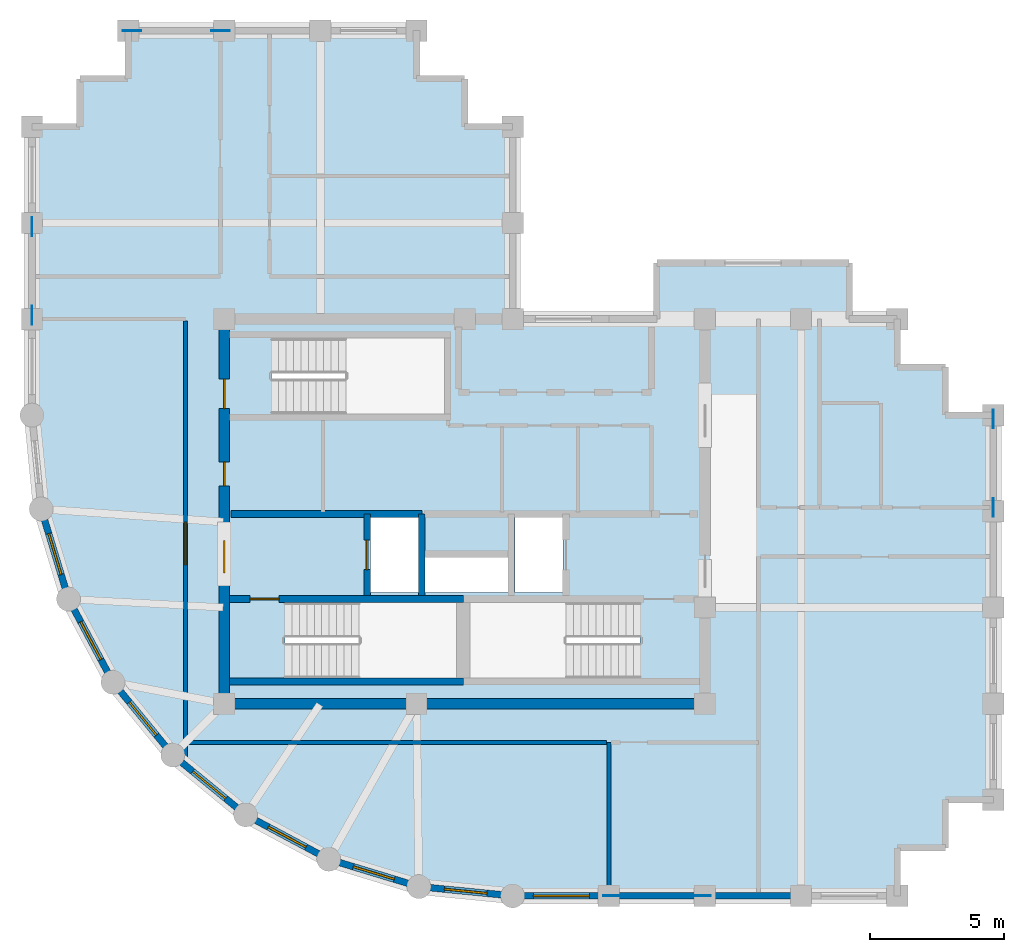
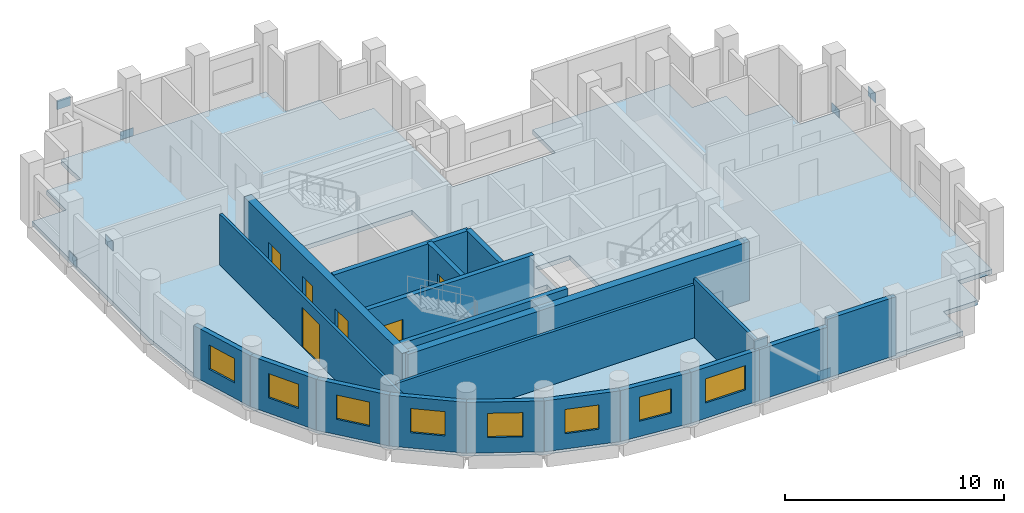
# One storey, part 2 of 6: 20 walls, 8 plates, 8 windows, 6 doors, 1 slab, 14 openings.
"""IFC4 building model written with IfcOpenShell, lengths in metres."""

import ifcopenshell
import ifcopenshell.guid

model = None  # the IFC model being written
_history = None  # IfcOwnerHistory: only IFC2X3 demands one
_inside = {}  # id of a spatial element -> (the spatial element, [elements in it])
_under = {}  # id of a project, library or spatial element -> (it, [spatial elements below it])
_declared = {}  # id of a project -> (the project, [libraries it declares])
_typed = {}  # id of a type object -> (the type object, [elements of that type])
_made_of = {}  # id of a material, layer set ... -> (it, [elements and type objects made of it])


def new_model(schema):
    """Start an empty IFC model of exactly this schema.

    Asked for "IFC4X3", IfcOpenShell would pick the latest addendum, in which some entities
    have other attributes; the version numbers below select the first issue.
    IFC2X3 requires an IfcOwnerHistory on every rooted entity: one is made here for all.
    """
    global model, _history
    if schema == "IFC4X3":
        model = ifcopenshell.file(schema_version=(4, 3, 0, 0))
    else:
        model = ifcopenshell.file(schema=schema)
    _inside.clear()
    _under.clear()
    _declared.clear()
    _typed.clear()
    _made_of.clear()
    _history = None
    if model.schema == "IFC2X3":
        org = make("IfcOrganization", Name="unknown")
        user = make(
            "IfcPersonAndOrganization",
            ThePerson=make("IfcPerson", FamilyName="unknown"),
            TheOrganization=org,
        )
        app = make(
            "IfcApplication",
            ApplicationDeveloper=org,
            Version="unknown",
            ApplicationFullName="unknown",
            ApplicationIdentifier="unknown",
        )
        _history = make(
            "IfcOwnerHistory",
            OwningUser=user,
            OwningApplication=app,
            ChangeAction="ADDED",
            CreationDate=0,
        )
    return model


def make(cls, **values):
    """One entity of the class cls with the attributes given. An attribute that is None is left unset."""
    return model.create_entity(
        cls, **{name: value for name, value in values.items() if value is not None}
    )


def rooted(cls, **values):
    """An entity with a GlobalId (a new one), such as an element, a storey or a relation."""
    return make(cls, GlobalId=ifcopenshell.guid.new(), OwnerHistory=_history, **values)


def si_unit(unit_type, name, prefix=None):
    """IfcSIUnit, for example si_unit("LENGTHUNIT", "METRE", prefix="MILLI")."""
    return make("IfcSIUnit", UnitType=unit_type, Prefix=prefix, Name=name)


def assignment(units):
    """IfcUnitAssignment: the units of a project."""
    return None if units is None else make("IfcUnitAssignment", Units=units)


def point(xyz):
    """IfcCartesianPoint."""
    return None if xyz is None else make("IfcCartesianPoint", Coordinates=xyz)


def direction(xyz):
    """IfcDirection."""
    return None if xyz is None else make("IfcDirection", DirectionRatios=xyz)


def frame(location, z_axis=None, x_axis=None):
    """IfcAxis2Placement3D, a coordinate frame: its origin and axes. An axis left out is left unset."""
    return make(
        "IfcAxis2Placement3D",
        Location=point(location),
        Axis=direction(z_axis),
        RefDirection=direction(x_axis),
    )


def frame_2d(location, x_axis=None):
    """IfcAxis2Placement2D, a coordinate frame in the plane: its origin and x axis."""
    return make(
        "IfcAxis2Placement2D", Location=point(location), RefDirection=direction(x_axis)
    )


def origin():
    """The frame at (0, 0, 0) with its axes left unset."""
    return frame((0.0, 0.0, 0.0))


def origin_2d():
    """The frame at (0, 0) in the plane with its x axis left unset."""
    return frame_2d((0.0, 0.0))


def place(relative_to, where):
    """IfcLocalPlacement: puts the frame where relative to a parent placement (None: the world)."""
    return make(
        "IfcLocalPlacement", PlacementRelTo=relative_to, RelativePlacement=where
    )


def context(
    kind, dimensions, precision=None, world=None, true_north=None, identifier=None
):
    """IfcGeometricRepresentationContext, for example the 3D "Model" context."""
    return make(
        "IfcGeometricRepresentationContext",
        ContextIdentifier=identifier,
        ContextType=kind,
        CoordinateSpaceDimension=dimensions,
        Precision=precision,
        WorldCoordinateSystem=world,
        TrueNorth=true_north,
    )


def subcontext(parent, identifier, kind, view, scale=None):
    """IfcGeometricRepresentationSubContext, for example "Body" below "Model"."""
    return make(
        "IfcGeometricRepresentationSubContext",
        ContextIdentifier=identifier,
        ContextType=kind,
        ParentContext=parent,
        TargetScale=scale,
        TargetView=view,
    )


def project(units=None, contexts=None):
    """IfcProject with its units and contexts."""
    return rooted(
        "IfcProject",
        Name="project",
        RepresentationContexts=contexts,
        UnitsInContext=assignment(units),
    )


def spatial(cls, under=None, at=None, **own):
    """A site, building, storey or space (cls), placed at a placement, below another one or the project."""
    s = rooted(cls, ObjectPlacement=at, **own)
    if under is not None:
        _under.setdefault(under.id(), (under, []))[1].append(s)
    return s


def polyline(points):
    """IfcPolyline through the points."""
    return make("IfcPolyline", Points=[point(p) for p in points])


def profile(cls, at=None, kind="AREA", **sizes):
    """A parametric profile (cls). Its sizes go by their IFC names, for example OverallWidth=200.0."""
    return make(cls, ProfileType=kind, Position=at, **sizes)


def rectangle(**sizes):
    """IfcRectangleProfileDef."""
    return profile("IfcRectangleProfileDef", **sizes)


def outline(outer, holes=None, kind="AREA"):
    """IfcArbitraryClosedProfileDef: a profile drawn as a closed curve; with holes, ...WithVoids."""
    if holes is None:
        return make("IfcArbitraryClosedProfileDef", ProfileType=kind, OuterCurve=outer)
    return make(
        "IfcArbitraryProfileDefWithVoids",
        ProfileType=kind,
        OuterCurve=outer,
        InnerCurves=holes,
    )


def extrude(swept, where, along, depth):
    """IfcExtrudedAreaSolid: the profile swept, set in the frame where, extruded along a direction by depth."""
    return make(
        "IfcExtrudedAreaSolid",
        SweptArea=swept,
        Position=where,
        ExtrudedDirection=direction(along),
        Depth=depth,
    )


def shape(context_of_items, identifier, shape_type, items):
    """IfcShapeRepresentation: the items that make up one representation, for example the "Body"."""
    return make(
        "IfcShapeRepresentation",
        ContextOfItems=context_of_items,
        RepresentationIdentifier=identifier,
        RepresentationType=shape_type,
        Items=items,
    )


def material(Name=None, Category=None):
    """IfcMaterial."""
    return make("IfcMaterial", Name=Name, Category=Category)


def layer(
    of_material, thickness, ventilated=None, Name=None, Category=None, Priority=None
):
    """IfcMaterialLayer: one layer of a wall or slab, of a material (None: an air gap)."""
    return make(
        "IfcMaterialLayer",
        Material=of_material,
        LayerThickness=thickness,
        IsVentilated=ventilated,
        Name=Name,
        Category=Category,
        Priority=Priority,
    )


def layer_set(layers, Name=None):
    """IfcMaterialLayerSet."""
    return make("IfcMaterialLayerSet", MaterialLayers=layers, LayerSetName=Name)


def made_of(thing, what):
    """Note that an element or type object is made of a material, layer set ...; save() writes the relation."""
    if what is not None:
        _made_of.setdefault(what.id(), (what, []))[1].append(thing)
    return thing


def type_object(cls, material=None, **own):
    """A type object (cls), such as IfcWallType, which elements share."""
    return made_of(rooted(cls, **own), material)


def element(
    cls,
    number,
    at=None,
    inside=None,
    cuts=None,
    type_object=None,
    material=None,
    context=None,
    identifier="Body",
    shape_type=None,
    held_by="IfcProductDefinitionShape",
    body=None,
    shapes=None,
    **own,
):
    """One element of the class cls, such as IfcWall. Its Tag is "e" and its number.

    at: its placement. inside: the storey or other place that contains it. cuts: it is an
    opening in that element (IfcRelVoidsElement). A single representation is given by context,
    identifier, shape_type and body (its items); several are given by shapes. held_by: the class
    of the entity that holds the representations. save() writes the other relations.
    """
    e = rooted(cls, Tag="e%d" % number, ObjectPlacement=at, **own)
    if body is not None:
        shapes = [shape(context, identifier, shape_type, body)]
    if shapes is not None:
        e.Representation = make(held_by, Representations=shapes)
    if inside is not None:
        _inside.setdefault(inside.id(), (inside, []))[1].append(e)
    if cuts is not None:
        rooted(
            "IfcRelVoidsElement", RelatingBuildingElement=cuts, RelatedOpeningElement=e
        )
    if type_object is not None:
        _typed.setdefault(type_object.id(), (type_object, []))[1].append(e)
    return made_of(e, material)


def fill(opening, filler):
    """IfcRelFillsElement: the door or window that sits in an opening."""
    return rooted(
        "IfcRelFillsElement",
        RelatingOpeningElement=opening,
        RelatedBuildingElement=filler,
    )


def aggregate(whole, parts):
    """IfcRelAggregates: a whole, such as a stair, and the parts it consists of."""
    return rooted("IfcRelAggregates", RelatingObject=whole, RelatedObjects=parts)


def save(model, path):
    """Write the relations noted so far, then the file.

    IfcRelAggregates (storeys below a building ...), IfcRelContainedInSpatialStructure (elements
    in a storey), IfcRelDefinesByType, IfcRelAssociatesMaterial and IfcRelDeclares: one each for
    every whole, place, type object, material and project.
    """
    for whole, parts in _under.values():
        aggregate(whole, parts)
    for where, things in _inside.values():
        rooted(
            "IfcRelContainedInSpatialStructure",
            RelatedElements=things,
            RelatingStructure=where,
        )
    for kind, things in _typed.values():
        rooted("IfcRelDefinesByType", RelatedObjects=things, RelatingType=kind)
    for what, things in _made_of.values():
        rooted("IfcRelAssociatesMaterial", RelatedObjects=things, RelatingMaterial=what)
    for by, libraries in _declared.values():
        rooted("IfcRelDeclares", RelatingContext=by, RelatedDefinitions=libraries)
    model.write(path)


model = new_model("IFC4")

# Units and contexts
model_context = context("Model", 3, precision=1e-05, world=origin(), true_north=direction((0.0, 1.0)))
body_context = subcontext(model_context, "Body", "Model", "MODEL_VIEW")
ifc_project = project(units=[si_unit("LENGTHUNIT", "METRE"), si_unit("AREAUNIT", "SQUARE_METRE"), si_unit("VOLUMEUNIT", "CUBIC_METRE"), si_unit("PLANEANGLEUNIT", "RADIAN"), si_unit("MASSUNIT", "GRAM", prefix="KILO")], contexts=[model_context])

# Site, building, storey
site_placement = place(None, origin())
site = spatial("IfcSite", under=ifc_project, at=site_placement, CompositionType="ELEMENT")
building_placement = place(site_placement, origin())
building = spatial("IfcBuilding", under=site, at=building_placement, Name="Solnavia Interchange Tower", CompositionType="ELEMENT")
storey_placement = place(building_placement, frame((0.0, 0.0, 246.199951171875)))
storey = spatial("IfcBuildingStorey", under=building, at=storey_placement, Name="L62", CompositionType="ELEMENT", Elevation=246.199951171875)

# Plates
ifc_material_1 = material(Name="Steel S460", Category="steel")
ifc_layer_1 = layer(ifc_material_1, 0.030029296875)
ifc_layer_set_1 = layer_set([ifc_layer_1], Name="Steel S460")
plate_type = type_object("IfcPlateType", Name="Plate-Gusset-700x520x30", PredefinedType="USERDEFINED", material=ifc_layer_set_1)
for number, where, z_axis, x_axis, name in (
    (1, (32.260009765625, 3.60009765625, -0.080078125), (0.0, 0.0, 1.0), (-1.0, 0.0, 0.0), "PLT-L62-GP01 Perimeter brace gusset plate"),
    (2, (28.93994140625, 3.60009765625, 2.840087890625), (0.0, 0.0, 1.0), (-1.0, 0.0, 0.0), "PLT-L62-GP02 Perimeter brace gusset plate"),
    (3, (7.199951171875, 28.659912109375, -0.080078125), (0.0, 0.0, 1.0), (0.0, -1.0, 0.0), "PLT-L62-GP03 Perimeter brace gusset plate"),
    (4, (7.199951171875, 25.340087890625, 2.840087890625), (0.0, 0.0, 1.0), (0.0, -1.0, 0.0), "PLT-L62-GP04 Perimeter brace gusset plate"),
    (5, (43.199951171875, 21.4599609375, -0.080078125), (0.0, 0.0, 1.0), (0.0, -1.0, 0.0), "PLT-L62-GP05 Perimeter brace gusset plate"),
    (6, (43.199951171875, 18.139892578125, 2.840087890625), (0.0, 0.0, 1.0), (0.0, -1.0, 0.0), "PLT-L62-GP06 Perimeter brace gusset plate"),
    (7, (14.260009765625, 36.0, -0.080078125), (0.0, 0.0, 1.0), (-1.0, 0.0, 0.0), "PLT-L62-GP07 Perimeter brace gusset plate"),
    (8, (10.93994140625, 36.0, 2.840087890625), (0.0, 0.0, 1.0), (-1.0, 0.0, 0.0), "PLT-L62-GP08 Perimeter brace gusset plate"),
):
    element("IfcPlate", number, at=place(storey_placement, frame(where, z_axis=z_axis, x_axis=x_axis)), inside=storey, type_object=plate_type, Name=name, ObjectType="GUSSET PLATE", PredefinedType="USERDEFINED", context=body_context, shape_type="SweptSolid", body=[
        extrude(rectangle(XDim=0.699951171875, YDim=0.030029296875, at=origin_2d()), origin(), (0.0, 0.0, 1.0), 0.52001953125),
    ])

# Slab
ifc_material_2 = material(Name="Concrete C40/50", Category="concrete")
ifc_layer_2 = layer(ifc_material_2, 0.25)
ifc_layer_set_2 = layer_set([ifc_layer_2], Name="Concrete C40/50")
slab_type = type_object("IfcSlabType", Name="Slab-Tower-250", PredefinedType="FLOOR", material=ifc_layer_set_2)
slab_placement = place(storey_placement, frame((0.0, 0.0, -0.25)))
element("IfcSlab", 9, at=slab_placement, inside=storey, type_object=slab_type, Name="SLB-L62-01 Structural floor slab", PredefinedType="FLOOR", context=body_context, shape_type="SweptSolid", body=[
    extrude(outline(polyline([(25.199951171875, 3.60009765625), (39.60009765625, 3.60009765625), (39.60009765625, 5.39990234375), (41.39990234375, 5.39990234375), (41.39990234375, 7.199951171875), (43.199951171875, 7.199951171875), (43.199951171875, 21.60009765625), (41.39990234375, 21.60009765625), (41.39990234375, 23.39990234375), (39.60009765625, 23.39990234375), (39.60009765625, 25.199951171875), (37.800048828125, 25.199951171875), (37.800048828125, 27.300048828125), (30.60009765625, 27.300048828125), (30.60009765625, 25.199951171875), (25.199951171875, 25.199951171875), (25.199951171875, 32.39990234375), (23.39990234375, 32.39990234375), (23.39990234375, 34.199951171875), (21.60009765625, 34.199951171875), (21.60009765625, 36.0), (10.800048828125, 36.0), (10.800048828125, 34.199951171875), (9.0, 34.199951171875), (9.0, 32.39990234375), (7.199951171875, 32.39990234375), (7.199951171875, 21.60009765625), (7.5458984375, 18.087890625), (8.570068359375, 14.7119140625), (10.23388671875, 11.60009765625), (12.471923828125, 8.8720703125), (15.199951171875, 6.634033203125), (18.31201171875, 4.969970703125), (21.68798828125, 3.946044921875), (25.199951171875, 3.60009765625)]), holes=[polyline([(16.675048828125, 11.75), (23.10009765625, 11.75), (23.10009765625, 14.590087890625), (16.675048828125, 14.590087890625), (16.675048828125, 11.75)]), polyline([(23.60009765625, 11.75), (29.97509765625, 11.75), (29.97509765625, 14.590087890625), (23.60009765625, 14.590087890625), (23.60009765625, 11.75)]), polyline([(16.175048828125, 21.64990234375), (22.64990234375, 21.64990234375), (22.64990234375, 24.489990234375), (16.175048828125, 24.489990234375), (16.175048828125, 21.64990234375)]), polyline([(19.8798828125, 14.9599609375), (21.679931640625, 14.9599609375), (21.679931640625, 17.780029296875), (19.8798828125, 17.780029296875), (19.8798828125, 14.9599609375)]), polyline([(25.280029296875, 14.9599609375), (27.080078125, 14.9599609375), (27.080078125, 17.780029296875), (25.280029296875, 17.780029296875), (25.280029296875, 14.9599609375)]), polyline([(21.919921875, 14.9599609375), (25.02001953125, 14.9599609375), (25.02001953125, 16.280029296875), (21.919921875, 16.280029296875), (21.919921875, 14.9599609375)])]), origin(), (0.0, 0.0, 1.0), 0.25),
])

# Wall, opening, window
ifc_layer_3 = layer(ifc_material_2, 0.25)
ifc_layer_set_3 = layer_set([ifc_layer_3], Name="Concrete C40/50")
wall_type_1 = type_object("IfcWallType", Name="Wall-ExtSpandrel-250", PredefinedType="STANDARD", material=ifc_layer_set_3)
wall_1_placement = place(storey_placement, frame((28.800048828125, 3.60009765625, 0.0), z_axis=(0.0, 0.0, 1.0), x_axis=(-1.0, 0.0, 0.0)))
wall_1 = element("IfcWall", 10, at=wall_1_placement, inside=storey, type_object=wall_type_1, Name="EXW-L62-01 Exterior precast spandrel wall", PredefinedType="STANDARD", context=body_context, shape_type="SweptSolid", body=[
    extrude(rectangle(XDim=3.60009765625, YDim=0.25, at=frame_2d((1.800048828125, 0.0))), origin(), (0.0, 0.0, 1.0), 2.830078125),
])
opening_1_placement = place(wall_1_placement, frame((0.72509765625, 0.0, 0.85009765625)))
opening_1 = element("IfcOpeningElement", 11, at=opening_1_placement, cuts=wall_1, Name="Opening WIN-01", PredefinedType="OPENING", context=body_context, shape_type="SweptSolid", body=[
    extrude(rectangle(XDim=2.10009765625, YDim=1.35009765625, at=frame_2d((1.050048828125, 0.675048828125))), frame((0.0, 0.135009765625, 0.0), z_axis=(0.0, -1.0, 0.0), x_axis=(1.0, 0.0, 0.0)), (0.0, 0.0, 1.0), 0.27001953125),
])
ifc_material_3 = material(Name="Thermal-Break Aluminium & Low-E Glass", Category="aluminium")
window_type_1 = type_object("IfcWindowType", Name="Window-Ribbon-2100x1350", PartitioningType="SINGLE_PANEL", PredefinedType="WINDOW", material=ifc_material_3)
window_1_placement = place(opening_1_placement, origin())
window_1 = element("IfcWindow", 12, at=window_1_placement, inside=storey, type_object=window_type_1, Name="WIN-L62-01 Facade ribbon window", OverallHeight=1.35009765625, OverallWidth=2.10009765625, PartitioningType="SINGLE_PANEL", PredefinedType="WINDOW", context=body_context, shape_type="SweptSolid", body=[
    extrude(rectangle(XDim=2.10009765625, YDim=1.35009765625, at=frame_2d((1.050048828125, 0.675048828125))), frame((0.0, 0.030029296875, 0.0), z_axis=(0.0, -1.0, 0.0), x_axis=(1.0, 0.0, 0.0)), (0.0, 0.0, 1.0), 0.06005859375),
])
fill(opening_1, window_1)

# Walls
wall_2_placement = place(storey_placement, frame((32.39990234375, 3.60009765625, 0.0), z_axis=(0.0, 0.0, 1.0), x_axis=(-1.0, 0.0, 0.0)))
element("IfcWall", 13, at=wall_2_placement, inside=storey, type_object=wall_type_1, Name="EXW-L62-02 Exterior precast spandrel wall", PredefinedType="STANDARD", context=body_context, shape_type="SweptSolid", body=[
    extrude(rectangle(XDim=3.599853515625, YDim=0.25, at=frame_2d((1.7998046875, 0.0))), origin(), (0.0, 0.0, 1.0), 2.830078125),
])
wall_3_placement = place(storey_placement, frame((36.0, 3.60009765625, 0.0), z_axis=(0.0, 0.0, 1.0), x_axis=(-1.0, 0.0, 0.0)))
element("IfcWall", 14, at=wall_3_placement, inside=storey, type_object=wall_type_1, Name="EXW-L62-03 Exterior precast spandrel wall", PredefinedType="STANDARD", context=body_context, shape_type="SweptSolid", body=[
    extrude(rectangle(XDim=3.60009765625, YDim=0.25, at=frame_2d((1.800048828125, 0.0))), origin(), (0.0, 0.0, 1.0), 3.26513671875),
])

# Wall, opening, window
wall_4_placement = place(storey_placement, frame((8.570068359375, 14.7119140625, 0.0), z_axis=(0.0, 0.0, 1.0), x_axis=(-0.290305086481, 0.956934144423, 0.0)))
wall_4 = element("IfcWall", 15, at=wall_4_placement, inside=storey, type_object=wall_type_1, Name="EXW-L62-42 Exterior precast spandrel wall", PredefinedType="STANDARD", context=body_context, shape_type="SweptSolid", body=[
    extrude(rectangle(XDim=3.52783203125, YDim=0.25, at=frame_2d((1.763916015625, 0.0))), origin(), (0.0, 0.0, 1.0), 2.830078125),
])
opening_2_placement = place(wall_4_placement, frame((0.964111328125, 0.0, 0.85009765625)))
opening_2 = element("IfcOpeningElement", 16, at=opening_2_placement, cuts=wall_4, Name="Opening WIN-04", PredefinedType="OPENING", context=body_context, shape_type="SweptSolid", body=[
    extrude(rectangle(XDim=1.60009765625, YDim=1.35009765625, at=frame_2d((0.800048828125, 0.675048828125))), frame((0.0, 0.135009765625, 0.0), z_axis=(0.0, -1.0, 0.0), x_axis=(1.0, 0.0, 0.0)), (0.0, 0.0, 1.0), 0.27001953125),
])
window_type_2 = type_object("IfcWindowType", Name="Window-Drum-1600x1350", PartitioningType="SINGLE_PANEL", PredefinedType="WINDOW", material=ifc_material_3)
window_2_placement = place(opening_2_placement, origin())
window_2 = element("IfcWindow", 17, at=window_2_placement, inside=storey, type_object=window_type_2, Name="WIN-L62-42 Facade ribbon window", OverallHeight=1.35009765625, OverallWidth=1.60009765625, PartitioningType="SINGLE_PANEL", PredefinedType="WINDOW", context=body_context, shape_type="SweptSolid", body=[
    extrude(rectangle(XDim=1.60009765625, YDim=1.35009765625, at=frame_2d((0.800048828125, 0.675048828125))), frame((0.0, 0.030029296875, 0.0), z_axis=(0.0, -1.0, 0.0), x_axis=(1.0, 0.0, 0.0)), (0.0, 0.0, 1.0), 0.06005859375),
])
fill(opening_2, window_2)

wall_5_placement = place(storey_placement, frame((10.23388671875, 11.60009765625, 0.0), z_axis=(0.0, 0.0, 1.0), x_axis=(-0.47151087309, 0.881860247748, 0.0)))
wall_5 = element("IfcWall", 18, at=wall_5_placement, inside=storey, type_object=wall_type_1, Name="EXW-L62-43 Exterior precast spandrel wall", PredefinedType="STANDARD", context=body_context, shape_type="SweptSolid", body=[
    extrude(rectangle(XDim=3.52880859375, YDim=0.25, at=frame_2d((1.764404296875, 0.0))), origin(), (0.0, 0.0, 1.0), 2.830078125),
])
opening_3_placement = place(wall_5_placement, frame((0.964111328125, 0.0, 0.85009765625)))
opening_3 = element("IfcOpeningElement", 19, at=opening_3_placement, cuts=wall_5, Name="Opening WIN-04", PredefinedType="OPENING", context=body_context, shape_type="SweptSolid", body=[
    extrude(rectangle(XDim=1.60009765625, YDim=1.35009765625, at=frame_2d((0.800048828125, 0.675048828125))), frame((0.0, 0.135009765625, 0.0), z_axis=(0.0, -1.0, 0.0), x_axis=(1.0, 0.0, 0.0)), (0.0, 0.0, 1.0), 0.27001953125),
])
window_3_placement = place(opening_3_placement, origin())
window_3 = element("IfcWindow", 20, at=window_3_placement, inside=storey, type_object=window_type_2, Name="WIN-L62-43 Facade ribbon window", OverallHeight=1.35009765625, OverallWidth=1.60009765625, PartitioningType="SINGLE_PANEL", PredefinedType="WINDOW", context=body_context, shape_type="SweptSolid", body=[
    extrude(rectangle(XDim=1.60009765625, YDim=1.35009765625, at=frame_2d((0.800048828125, 0.675048828125))), frame((0.0, 0.030029296875, 0.0), z_axis=(0.0, -1.0, 0.0), x_axis=(1.0, 0.0, 0.0)), (0.0, 0.0, 1.0), 0.06005859375),
])
fill(opening_3, window_3)

wall_6_placement = place(storey_placement, frame((12.471923828125, 8.8720703125, 0.0), z_axis=(0.0, 0.0, 1.0), x_axis=(-0.634258295121, 0.773121216285, 0.0)))
wall_6 = element("IfcWall", 21, at=wall_6_placement, inside=storey, type_object=wall_type_1, Name="EXW-L62-44 Exterior precast spandrel wall", PredefinedType="STANDARD", context=body_context, shape_type="SweptSolid", body=[
    extrude(rectangle(XDim=3.528564453125, YDim=0.25, at=frame_2d((1.76416015625, 0.0))), origin(), (0.0, 0.0, 1.0), 2.830078125),
])
opening_4_placement = place(wall_6_placement, frame((0.964111328125, 0.0, 0.85009765625)))
opening_4 = element("IfcOpeningElement", 22, at=opening_4_placement, cuts=wall_6, Name="Opening WIN-04", PredefinedType="OPENING", context=body_context, shape_type="SweptSolid", body=[
    extrude(rectangle(XDim=1.60009765625, YDim=1.35009765625, at=frame_2d((0.800048828125, 0.675048828125))), frame((0.0, 0.135009765625, 0.0), z_axis=(0.0, -1.0, 0.0), x_axis=(1.0, 0.0, 0.0)), (0.0, 0.0, 1.0), 0.27001953125),
])
window_4_placement = place(opening_4_placement, origin())
window_4 = element("IfcWindow", 23, at=window_4_placement, inside=storey, type_object=window_type_2, Name="WIN-L62-44 Facade ribbon window", OverallHeight=1.35009765625, OverallWidth=1.60009765625, PartitioningType="SINGLE_PANEL", PredefinedType="WINDOW", context=body_context, shape_type="SweptSolid", body=[
    extrude(rectangle(XDim=1.60009765625, YDim=1.35009765625, at=frame_2d((0.800048828125, 0.675048828125))), frame((0.0, 0.030029296875, 0.0), z_axis=(0.0, -1.0, 0.0), x_axis=(1.0, 0.0, 0.0)), (0.0, 0.0, 1.0), 0.06005859375),
])
fill(opening_4, window_4)

wall_7_placement = place(storey_placement, frame((15.199951171875, 6.634033203125, 0.0), z_axis=(0.0, 0.0, 1.0), x_axis=(-0.773121216285, 0.634258295121, 0.0)))
wall_7 = element("IfcWall", 24, at=wall_7_placement, inside=storey, type_object=wall_type_1, Name="EXW-L62-45 Exterior precast spandrel wall", PredefinedType="STANDARD", context=body_context, shape_type="SweptSolid", body=[
    extrude(rectangle(XDim=3.528564453125, YDim=0.25, at=frame_2d((1.76416015625, 0.0))), origin(), (0.0, 0.0, 1.0), 2.830078125),
])
opening_5_placement = place(wall_7_placement, frame((0.964111328125, 0.0, 0.85009765625)))
opening_5 = element("IfcOpeningElement", 25, at=opening_5_placement, cuts=wall_7, Name="Opening WIN-04", PredefinedType="OPENING", context=body_context, shape_type="SweptSolid", body=[
    extrude(rectangle(XDim=1.60009765625, YDim=1.35009765625, at=frame_2d((0.800048828125, 0.675048828125))), frame((0.0, 0.135009765625, 0.0), z_axis=(0.0, -1.0, 0.0), x_axis=(1.0, 0.0, 0.0)), (0.0, 0.0, 1.0), 0.27001953125),
])
window_5_placement = place(opening_5_placement, origin())
window_5 = element("IfcWindow", 26, at=window_5_placement, inside=storey, type_object=window_type_2, Name="WIN-L62-45 Facade ribbon window", OverallHeight=1.35009765625, OverallWidth=1.60009765625, PartitioningType="SINGLE_PANEL", PredefinedType="WINDOW", context=body_context, shape_type="SweptSolid", body=[
    extrude(rectangle(XDim=1.60009765625, YDim=1.35009765625, at=frame_2d((0.800048828125, 0.675048828125))), frame((0.0, 0.030029296875, 0.0), z_axis=(0.0, -1.0, 0.0), x_axis=(1.0, 0.0, 0.0)), (0.0, 0.0, 1.0), 0.06005859375),
])
fill(opening_5, window_5)

wall_8_placement = place(storey_placement, frame((18.31201171875, 4.969970703125, 0.0), z_axis=(0.0, 0.0, 1.0), x_axis=(-0.881846862014, 0.471535907389, 0.0)))
wall_8 = element("IfcWall", 27, at=wall_8_placement, inside=storey, type_object=wall_type_1, Name="EXW-L62-46 Exterior precast spandrel wall", PredefinedType="STANDARD", context=body_context, shape_type="SweptSolid", body=[
    extrude(rectangle(XDim=3.529052734375, YDim=0.25, at=frame_2d((1.7646484375, 0.0))), origin(), (0.0, 0.0, 1.0), 2.830078125),
])
opening_6_placement = place(wall_8_placement, frame((0.964111328125, 0.0, 0.85009765625)))
opening_6 = element("IfcOpeningElement", 28, at=opening_6_placement, cuts=wall_8, Name="Opening WIN-04", PredefinedType="OPENING", context=body_context, shape_type="SweptSolid", body=[
    extrude(rectangle(XDim=1.60009765625, YDim=1.35009765625, at=frame_2d((0.800048828125, 0.675048828125))), frame((0.0, 0.135009765625, 0.0), z_axis=(0.0, -1.0, 0.0), x_axis=(1.0, 0.0, 0.0)), (0.0, 0.0, 1.0), 0.27001953125),
])
window_6_placement = place(opening_6_placement, origin())
window_6 = element("IfcWindow", 29, at=window_6_placement, inside=storey, type_object=window_type_2, Name="WIN-L62-46 Facade ribbon window", OverallHeight=1.35009765625, OverallWidth=1.60009765625, PartitioningType="SINGLE_PANEL", PredefinedType="WINDOW", context=body_context, shape_type="SweptSolid", body=[
    extrude(rectangle(XDim=1.60009765625, YDim=1.35009765625, at=frame_2d((0.800048828125, 0.675048828125))), frame((0.0, 0.030029296875, 0.0), z_axis=(0.0, -1.0, 0.0), x_axis=(1.0, 0.0, 0.0)), (0.0, 0.0, 1.0), 0.06005859375),
])
fill(opening_6, window_6)

wall_9_placement = place(storey_placement, frame((21.68798828125, 3.946044921875, 0.0), z_axis=(0.0, 0.0, 1.0), x_axis=(-0.956953367403, 0.290241714123, 0.0)))
wall_9 = element("IfcWall", 30, at=wall_9_placement, inside=storey, type_object=wall_type_1, Name="EXW-L62-47 Exterior precast spandrel wall", PredefinedType="STANDARD", context=body_context, shape_type="SweptSolid", body=[
    extrude(rectangle(XDim=3.52783203125, YDim=0.25, at=frame_2d((1.763916015625, 0.0))), origin(), (0.0, 0.0, 1.0), 2.830078125),
])
opening_7_placement = place(wall_9_placement, frame((0.964111328125, 0.0, 0.85009765625)))
opening_7 = element("IfcOpeningElement", 31, at=opening_7_placement, cuts=wall_9, Name="Opening WIN-04", PredefinedType="OPENING", context=body_context, shape_type="SweptSolid", body=[
    extrude(rectangle(XDim=1.60009765625, YDim=1.35009765625, at=frame_2d((0.800048828125, 0.675048828125))), frame((0.0, 0.135009765625, 0.0), z_axis=(0.0, -1.0, 0.0), x_axis=(1.0, 0.0, 0.0)), (0.0, 0.0, 1.0), 0.27001953125),
])
window_7_placement = place(opening_7_placement, origin())
window_7 = element("IfcWindow", 32, at=window_7_placement, inside=storey, type_object=window_type_2, Name="WIN-L62-47 Facade ribbon window", OverallHeight=1.35009765625, OverallWidth=1.60009765625, PartitioningType="SINGLE_PANEL", PredefinedType="WINDOW", context=body_context, shape_type="SweptSolid", body=[
    extrude(rectangle(XDim=1.60009765625, YDim=1.35009765625, at=frame_2d((0.800048828125, 0.675048828125))), frame((0.0, 0.030029296875, 0.0), z_axis=(0.0, -1.0, 0.0), x_axis=(1.0, 0.0, 0.0)), (0.0, 0.0, 1.0), 0.06005859375),
])
fill(opening_7, window_7)

wall_10_placement = place(storey_placement, frame((25.199951171875, 3.60009765625, 0.0), z_axis=(0.0, 0.0, 1.0), x_axis=(-0.995183369056, 0.098030923459, 0.0)))
wall_10 = element("IfcWall", 33, at=wall_10_placement, inside=storey, type_object=wall_type_1, Name="EXW-L62-48 Exterior precast spandrel wall", PredefinedType="STANDARD", context=body_context, shape_type="SweptSolid", body=[
    extrude(rectangle(XDim=3.529052734375, YDim=0.25, at=frame_2d((1.7646484375, 0.0))), origin(), (0.0, 0.0, 1.0), 2.830078125),
])
opening_8_placement = place(wall_10_placement, frame((0.965087890625, 0.0, 0.85009765625)))
opening_8 = element("IfcOpeningElement", 34, at=opening_8_placement, cuts=wall_10, Name="Opening WIN-04", PredefinedType="OPENING", context=body_context, shape_type="SweptSolid", body=[
    extrude(rectangle(XDim=1.60009765625, YDim=1.35009765625, at=frame_2d((0.800048828125, 0.675048828125))), frame((0.0, 0.135009765625, 0.0), z_axis=(0.0, -1.0, 0.0), x_axis=(1.0, 0.0, 0.0)), (0.0, 0.0, 1.0), 0.27001953125),
])
window_8_placement = place(opening_8_placement, origin())
window_8 = element("IfcWindow", 35, at=window_8_placement, inside=storey, type_object=window_type_2, Name="WIN-L62-48 Facade ribbon window", OverallHeight=1.35009765625, OverallWidth=1.60009765625, PartitioningType="SINGLE_PANEL", PredefinedType="WINDOW", context=body_context, shape_type="SweptSolid", body=[
    extrude(rectangle(XDim=1.60009765625, YDim=1.35009765625, at=frame_2d((0.800048828125, 0.675048828125))), frame((0.0, 0.030029296875, 0.0), z_axis=(0.0, -1.0, 0.0), x_axis=(1.0, 0.0, 0.0)), (0.0, 0.0, 1.0), 0.06005859375),
])
fill(opening_8, window_8)

# Wall
ifc_material_4 = material(Name="Gypsum Plasterboard & Steel Stud", Category="steel")
ifc_layer_4 = layer(ifc_material_4, 0.14990234375)
ifc_layer_set_4 = layer_set([ifc_layer_4], Name="Gypsum Plasterboard & Steel Stud")
wall_type_2 = type_object("IfcWallType", Name="Wall-Partition-150", PredefinedType="PARTITIONING", material=ifc_layer_set_4)
wall_11_placement = place(storey_placement, frame((28.800048828125, 9.35009765625, 0.0), z_axis=(0.0, 0.0, 1.0), x_axis=(0.0, -1.0, 0.0)))
element("IfcWall", 36, at=wall_11_placement, inside=storey, type_object=wall_type_2, Name="PTW-L62-08 Interior partition wall", PredefinedType="PARTITIONING", context=body_context, shape_type="SweptSolid", body=[
    extrude(rectangle(XDim=5.62109375, YDim=0.14990234375, at=frame_2d((2.810546875, 0.0))), origin(), (0.0, 0.0, 1.0), 3.26513671875),
])

# Wall, opening, door
wall_12_placement = place(storey_placement, frame((12.949951171875, 8.60888671875, 0.0), z_axis=(0.0, 0.0, 1.0), x_axis=(0.0, 1.0, 0.0)))
wall_12 = element("IfcWall", 37, at=wall_12_placement, inside=storey, type_object=wall_type_2, Name="PTW-L62-09 Interior partition wall", PredefinedType="PARTITIONING", context=body_context, shape_type="SweptSolid", body=[
    extrude(rectangle(XDim=16.51220703125, YDim=0.14990234375, at=frame_2d((8.256103515625, 0.0))), origin(), (0.0, 0.0, 1.0), 2.830078125),
])
opening_9_placement = place(wall_12_placement, frame((7.39111328125, 0.0, 0.0)))
opening_9 = element("IfcOpeningElement", 38, at=opening_9_placement, cuts=wall_12, Name="Opening DR-08", PredefinedType="OPENING", context=body_context, shape_type="SweptSolid", body=[
    extrude(rectangle(XDim=1.60009765625, YDim=2.199951171875, at=frame_2d((0.800048828125, 1.10009765625))), frame((0.0, 0.0849609375, 0.0), z_axis=(0.0, -1.0, 0.0), x_axis=(1.0, 0.0, 0.0)), (0.0, 0.0, 1.0), 0.169921875),
])
ifc_material_5 = material(Name="Thermally Broken Aluminium & Toughened Glass", Category="aluminium")
door_type_1 = type_object("IfcDoorType", Name="Door-RetailDouble-1600x2200", OperationType="DOUBLE_DOOR_SINGLE_SWING", PredefinedType="DOOR", material=ifc_material_5)
door_1_placement = place(opening_9_placement, origin())
door_1 = element("IfcDoor", 39, at=door_1_placement, inside=storey, type_object=door_type_1, Name="DR-L62-03 Interior room door", OperationType="DOUBLE_DOOR_SINGLE_SWING", OverallHeight=2.199951171875, OverallWidth=1.60009765625, PredefinedType="DOOR", context=body_context, shape_type="SweptSolid", body=[
    extrude(rectangle(XDim=1.60009765625, YDim=2.199951171875, at=frame_2d((0.800048828125, 1.10009765625))), frame((0.0, 0.02490234375, 0.0), z_axis=(0.0, -1.0, 0.0), x_axis=(1.0, 0.0, 0.0)), (0.0, 0.0, 1.0), 0.050048828125),
])
fill(opening_9, door_1)

# Walls
wall_13_placement = place(storey_placement, frame((13.080078125, 9.35009765625, 0.0), z_axis=(0.0, 0.0, 1.0), x_axis=(1.0, 0.0, 0.0)))
element("IfcWall", 40, at=wall_13_placement, inside=storey, type_object=wall_type_2, Name="PTW-L62-10 Interior partition wall", PredefinedType="PARTITIONING", context=body_context, shape_type="SweptSolid", body=[
    extrude(rectangle(XDim=15.640869140625, YDim=0.14990234375, at=frame_2d((7.8203125, 0.0))), origin(), (0.0, 0.0, 1.0), 2.949951171875),
])
ifc_layer_5 = layer(ifc_material_2, 0.25)
ifc_layer_set_5 = layer_set([ifc_layer_5], Name="Concrete C40/50")
wall_type_3 = type_object("IfcWallType", Name="Wall-ShaftCore-250", PredefinedType="SHEAR", material=ifc_layer_set_5)
wall_14_placement = place(storey_placement, frame((14.60009765625, 11.625, 0.0), z_axis=(0.0, 0.0, 1.0), x_axis=(1.0, 0.0, 0.0)))
element("IfcWall", 41, at=wall_14_placement, inside=storey, type_object=wall_type_3, Name="SHW-L62-ST1S Core shear wall", PredefinedType="SHEAR", context=body_context, shape_type="SweptSolid", body=[
    extrude(rectangle(XDim=8.75, YDim=0.25, at=frame_2d((4.375, 0.0))), origin(), (0.0, 0.0, 1.0), 3.280029296875),
])

# Wall, opening, door
wall_15_placement = place(storey_placement, frame((14.60009765625, 14.715087890625, 0.0), z_axis=(0.0, 0.0, 1.0), x_axis=(1.0, 0.0, 0.0)))
wall_15 = element("IfcWall", 42, at=wall_15_placement, inside=storey, type_object=wall_type_3, Name="SHW-L62-ST1N Core shear wall", PredefinedType="SHEAR", context=body_context, shape_type="SweptSolid", body=[
    extrude(rectangle(XDim=8.75, YDim=0.25, at=frame_2d((4.375, 0.0))), origin(), (0.0, 0.0, 1.0), 3.280029296875),
])
opening_10_placement = place(wall_15_placement, frame((0.7548828125, 0.0, 0.0)))
opening_10 = element("IfcOpeningElement", 43, at=opening_10_placement, cuts=wall_15, Name="Opening DR-01", PredefinedType="OPENING", context=body_context, shape_type="SweptSolid", body=[
    extrude(rectangle(XDim=1.10009765625, YDim=2.10009765625, at=frame_2d((0.550048828125, 1.050048828125))), frame((0.0, 0.135009765625, 0.0), z_axis=(0.0, -1.0, 0.0), x_axis=(1.0, 0.0, 0.0)), (0.0, 0.0, 1.0), 0.27001953125),
])
ifc_material_6 = material(Name="Steel Fire-Rated Leaf & Frame", Category="steel")
door_type_2 = type_object("IfcDoorType", Name="Door-StairFire-1100x2100", OperationType="SINGLE_SWING_LEFT", PredefinedType="DOOR", material=ifc_material_6)
door_2_placement = place(opening_10_placement, origin())
door_2 = element("IfcDoor", 44, at=door_2_placement, inside=storey, type_object=door_type_2, Name="DR-L62-ST1 Core fire door", OperationType="SINGLE_SWING_LEFT", OverallHeight=2.10009765625, OverallWidth=1.10009765625, PredefinedType="DOOR", context=body_context, shape_type="SweptSolid", body=[
    extrude(rectangle(XDim=1.10009765625, YDim=2.10009765625, at=frame_2d((0.550048828125, 1.050048828125))), frame((0.0, 0.02490234375, 0.0), z_axis=(0.0, -1.0, 0.0), x_axis=(1.0, 0.0, 0.0)), (0.0, 0.0, 1.0), 0.050048828125),
])
fill(opening_10, door_2)

# Wall
ifc_layer_6 = layer(ifc_material_2, 0.25)
ifc_layer_set_6 = layer_set([ifc_layer_6], Name="Concrete C40/50")
wall_type_4 = type_object("IfcWallType", Name="Wall-ShaftPart-250", PredefinedType="PARTITIONING", material=ifc_layer_set_6)
wall_16_placement = place(storey_placement, frame((14.64990234375, 17.89990234375, 0.0), z_axis=(0.0, 0.0, 1.0), x_axis=(1.0, 0.0, 0.0)))
element("IfcWall", 45, at=wall_16_placement, inside=storey, type_object=wall_type_4, Name="SHW-L62-FFLW-N Core shaft wall", PredefinedType="PARTITIONING", context=body_context, shape_type="SweptSolid", body=[
    extrude(rectangle(XDim=7.150146484375, YDim=0.25, at=frame_2d((3.5751953125, 0.0))), origin(), (0.0, 0.0, 1.0), 3.26513671875),
])

# Wall, opening, door
wall_17_placement = place(storey_placement, frame((19.75, 14.840087890625, 0.0), z_axis=(0.0, 0.0, 1.0), x_axis=(0.0, 1.0, 0.0)))
wall_17 = element("IfcWall", 46, at=wall_17_placement, inside=storey, type_object=wall_type_4, Name="SHW-L62-FFL1-W Core shaft wall", PredefinedType="PARTITIONING", context=body_context, shape_type="SweptSolid", body=[
    extrude(rectangle(XDim=3.059814453125, YDim=0.25, at=frame_2d((1.52978515625, 0.0))), origin(), (0.0, 0.0, 1.0), 3.26513671875),
])
opening_11_placement = place(wall_17_placement, frame((0.97998046875, 0.0, 0.0)))
opening_11 = element("IfcOpeningElement", 47, at=opening_11_placement, cuts=wall_17, Name="Opening LD-01", PredefinedType="OPENING", context=body_context, shape_type="SweptSolid", body=[
    extrude(rectangle(XDim=1.10009765625, YDim=2.10009765625, at=frame_2d((0.550048828125, 1.050048828125))), frame((0.0, 0.135009765625, 0.0), z_axis=(0.0, -1.0, 0.0), x_axis=(1.0, 0.0, 0.0)), (0.0, 0.0, 1.0), 0.27001953125),
])
ifc_material_7 = material(Name="Brushed Stainless Steel Sliding Door", Category="steel")
door_type_3 = type_object("IfcDoorType", Name="Door-LiftLanding-1100x2100", OperationType="SLIDING_TO_LEFT", PredefinedType="DOOR", material=ifc_material_7)
door_3_placement = place(opening_11_placement, origin())
door_3 = element("IfcDoor", 48, at=door_3_placement, inside=storey, type_object=door_type_3, Name="LD-L62-FFL1 Lift landing sliding door", OperationType="SLIDING_TO_LEFT", OverallHeight=2.10009765625, OverallWidth=1.10009765625, PredefinedType="DOOR", context=body_context, shape_type="SweptSolid", body=[
    extrude(rectangle(XDim=1.10009765625, YDim=2.10009765625, at=frame_2d((0.550048828125, 1.050048828125))), frame((0.0, 0.02490234375, 0.0), z_axis=(0.0, -1.0, 0.0), x_axis=(1.0, 0.0, 0.0)), (0.0, 0.0, 1.0), 0.050048828125),
])
fill(opening_11, door_3)

# Walls
wall_18_placement = place(storey_placement, frame((21.800048828125, 14.840087890625, 0.0), z_axis=(0.0, 0.0, 1.0), x_axis=(0.0, 1.0, 0.0)))
element("IfcWall", 49, at=wall_18_placement, inside=storey, type_object=wall_type_4, Name="SHW-L62-FFL1-E Core shaft wall", PredefinedType="PARTITIONING", context=body_context, shape_type="SweptSolid", body=[
    extrude(rectangle(XDim=3.059814453125, YDim=0.25, at=frame_2d((1.52978515625, 0.0))), origin(), (0.0, 0.0, 1.0), 3.26513671875),
])
ifc_material_8 = material(Name="Concrete C50/60", Category="concrete")
ifc_layer_7 = layer(ifc_material_8, 0.39990234375)
ifc_layer_set_7 = layer_set([ifc_layer_7], Name="Concrete C50/60")
wall_type_5 = type_object("IfcWallType", Name="Wall-ShearCore-400", PredefinedType="SHEAR", material=ifc_layer_set_7)
wall_19_placement = place(storey_placement, frame((14.39990234375, 10.800048828125, 0.0), z_axis=(0.0, 0.0, 1.0), x_axis=(1.0, 0.0, 0.0)))
element("IfcWall", 50, at=wall_19_placement, inside=storey, type_object=wall_type_5, Name="CRW-L62-S Core shear wall", PredefinedType="SHEAR", context=body_context, shape_type="SweptSolid", body=[
    extrude(rectangle(XDim=18.0, YDim=0.39990234375, at=frame_2d((9.0, 0.0))), origin(), (0.0, 0.0, 1.0), 3.280029296875),
])

# Wall, openings, doors
wall_20_placement = place(storey_placement, frame((14.39990234375, 10.800048828125, 0.0), z_axis=(0.0, 0.0, 1.0), x_axis=(0.0, 1.0, 0.0)))
wall_20 = element("IfcWall", 51, at=wall_20_placement, inside=storey, type_object=wall_type_5, Name="CRW-L62-W Core shear wall", PredefinedType="SHEAR", context=body_context, shape_type="SweptSolid", body=[
    extrude(rectangle(XDim=14.39990234375, YDim=0.39990234375, at=frame_2d((7.199951171875, 0.0))), origin(), (0.0, 0.0, 1.0), 3.280029296875),
])
opening_12_placement = place(wall_20_placement, frame((11.050048828125, 0.0, 0.0)))
opening_12 = element("IfcOpeningElement", 52, at=opening_12_placement, cuts=wall_20, Name="Opening DR-01", PredefinedType="OPENING", context=body_context, shape_type="SweptSolid", body=[
    extrude(rectangle(XDim=1.10009765625, YDim=2.10009765625, at=frame_2d((0.550048828125, 1.050048828125))), frame((0.0, 0.2099609375, 0.0), z_axis=(0.0, -1.0, 0.0), x_axis=(1.0, 0.0, 0.0)), (0.0, 0.0, 1.0), 0.419921875),
])
opening_13_placement = place(wall_20_placement, frame((4.89990234375, 0.0, 0.0)))
opening_13 = element("IfcOpeningElement", 53, at=opening_13_placement, cuts=wall_20, Name="Opening DR-02", PredefinedType="OPENING", context=body_context, shape_type="SweptSolid", body=[
    extrude(rectangle(XDim=1.199951171875, YDim=2.10009765625, at=frame_2d((0.60009765625, 1.050048828125))), frame((0.0, 0.2099609375, 0.0), z_axis=(0.0, -1.0, 0.0), x_axis=(1.0, 0.0, 0.0)), (0.0, 0.0, 1.0), 0.419921875),
])
opening_14_placement = place(wall_20_placement, frame((8.14990234375, 0.0, 0.0)))
opening_14 = element("IfcOpeningElement", 54, at=opening_14_placement, cuts=wall_20, Name="Opening DR-09", PredefinedType="OPENING", context=body_context, shape_type="SweptSolid", body=[
    extrude(rectangle(XDim=0.89990234375, YDim=2.10009765625, at=frame_2d((0.449951171875, 1.050048828125))), frame((0.0, 0.2099609375, 0.0), z_axis=(0.0, -1.0, 0.0), x_axis=(1.0, 0.0, 0.0)), (0.0, 0.0, 1.0), 0.419921875),
])
ifc_material_9 = material(Name="Engineered Oak Veneer Door", Category="wood")
door_type_4 = type_object("IfcDoorType", Name="Door-Internal-900x2100", OperationType="SINGLE_SWING_LEFT", PredefinedType="DOOR", material=ifc_material_9)
door_4_placement = place(opening_14_placement, origin())
door_4 = element("IfcDoor", 55, at=door_4_placement, inside=storey, type_object=door_type_4, Name="DR-L62-CS1 Core fire door", OperationType="SINGLE_SWING_RIGHT", OverallHeight=2.10009765625, OverallWidth=0.89990234375, PredefinedType="DOOR", context=body_context, shape_type="SweptSolid", body=[
    extrude(rectangle(XDim=0.89990234375, YDim=2.10009765625, at=frame_2d((0.449951171875, 1.050048828125))), frame((0.0, 0.02490234375, 0.0), z_axis=(0.0, -1.0, 0.0), x_axis=(1.0, 0.0, 0.0)), (0.0, 0.0, 1.0), 0.050048828125),
])
fill(opening_14, door_4)
ifc_material_10 = material(Name="Steel Fire-Rated Vision-Panel Door", Category="steel")
door_type_5 = type_object("IfcDoorType", Name="Door-LobbyFire-1200x2100", OperationType="SINGLE_SWING_RIGHT", PredefinedType="DOOR", material=ifc_material_10)
door_5_placement = place(opening_13_placement, origin())
door_5 = element("IfcDoor", 56, at=door_5_placement, inside=storey, type_object=door_type_5, Name="DR-L62-FFL1W Core fire door", OperationType="SINGLE_SWING_RIGHT", OverallHeight=2.10009765625, OverallWidth=1.199951171875, PredefinedType="DOOR", context=body_context, shape_type="SweptSolid", body=[
    extrude(rectangle(XDim=1.199951171875, YDim=2.10009765625, at=frame_2d((0.60009765625, 1.050048828125))), frame((0.0, 0.02490234375, 0.0), z_axis=(0.0, -1.0, 0.0), x_axis=(1.0, 0.0, 0.0)), (0.0, 0.0, 1.0), 0.050048828125),
])
fill(opening_13, door_5)
door_6_placement = place(opening_12_placement, origin())
door_6 = element("IfcDoor", 57, at=door_6_placement, inside=storey, type_object=door_type_2, Name="DR-L62-ST3 Core fire door", OperationType="SINGLE_SWING_RIGHT", OverallHeight=2.10009765625, OverallWidth=1.10009765625, PredefinedType="DOOR", context=body_context, shape_type="SweptSolid", body=[
    extrude(rectangle(XDim=1.10009765625, YDim=2.10009765625, at=frame_2d((0.550048828125, 1.050048828125))), frame((0.0, 0.02490234375, 0.0), z_axis=(0.0, -1.0, 0.0), x_axis=(1.0, 0.0, 0.0)), (0.0, 0.0, 1.0), 0.050048828125),
])
fill(opening_12, door_6)

save(model, "model.ifc")
